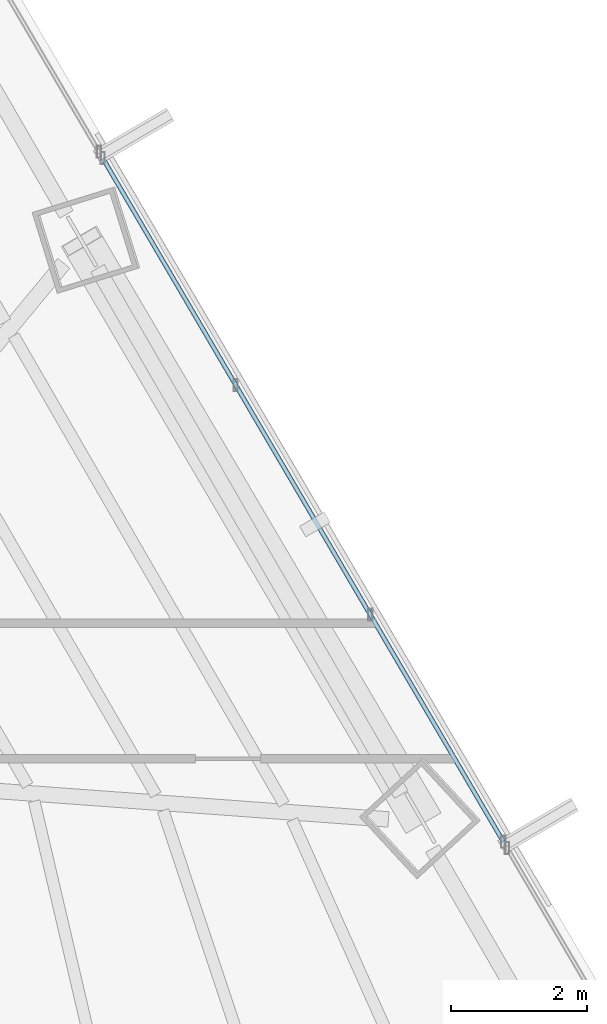
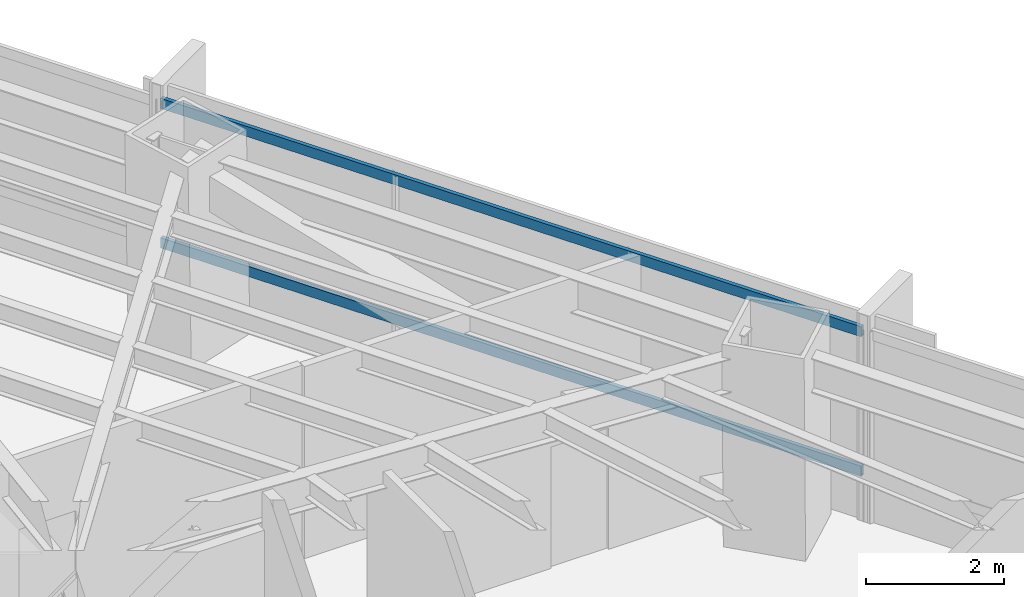
# One storey, part 20 of 33: 2 members, 1 element without a shape of its own.
"""IFC4 building model written with IfcOpenShell, lengths in metres."""

from ifc_helpers import new_model, si_unit, direction, frame, origin, origin_2d, place, context, subcontext, project, spatial, hollow_rectangle, extrude, source, transform, mapped, material, material_profile, profile_set, type_object, type_shapes, element, aggregate, save


model = new_model("IFC4")

# Units and contexts
model_context = context("Model", 3, precision=1e-05, world=origin(), true_north=direction((0.0, 1.0)))
body_context = subcontext(model_context, "Body", "Model", "MODEL_VIEW")
ifc_project = project(units=[si_unit("LENGTHUNIT", "METRE"), si_unit("AREAUNIT", "SQUARE_METRE"), si_unit("VOLUMEUNIT", "CUBIC_METRE"), si_unit("PLANEANGLEUNIT", "RADIAN"), si_unit("MASSUNIT", "GRAM", prefix="KILO")], contexts=[model_context])

# Site, building, storey
site_placement = place(None, origin())
site = spatial("IfcSite", under=ifc_project, at=site_placement, CompositionType="ELEMENT")
building_placement = place(site_placement, origin())
building = spatial("IfcBuilding", under=site, at=building_placement, Name="Caelisora Broadcast Tower", CompositionType="ELEMENT")
storey_placement = place(building_placement, frame((0.0, 0.0, 38.550048828125)))
storey = spatial("IfcBuildingStorey", under=building, at=storey_placement, Name="L09", CompositionType="ELEMENT", Elevation=38.550048828125)

# Curtain wall, members
ifc_material_1 = material(Name="Unitised Aluminium Insulated Shadow-Box Spandrel Curtain Wall", Category="aluminium")
curtain_wall_type = type_object("IfcCurtainWallType", Name="CW-SP1", PredefinedType="NOTDEFINED", material=ifc_material_1)
curtain_wall_placement = place(storey_placement, origin())
curtain_wall = element("IfcCurtainWall", 1, at=curtain_wall_placement, inside=storey, type_object=curtain_wall_type, Name="L09 curtain wall CW-SP1", PredefinedType="NOTDEFINED")
ifc_material_2 = material(Name="Aluminium 6063-T6 Anodised Terracotta Bronze", Category="aluminium")
ifc_material_profile = material_profile(ifc_material_2, hollow_rectangle(XDim=0.06494140625, YDim=0.179931640625, WallThickness=0.00341796875, at=origin_2d()), Name="Aluminium 6063-T6 Anodised Terracotta Bronze")
ifc_profile_set = profile_set([ifc_material_profile], Name="Aluminium 6063-T6 Anodised Terracotta Bronze")
member_type = type_object("IfcMemberType", Name="CWT-01", PredefinedType="USERDEFINED", material=ifc_profile_set)
shared_shape = source(origin(), body_context, "Body", "SweptSolid", [
    extrude(hollow_rectangle(XDim=0.06494140625, YDim=0.179931640625, WallThickness=0.00341796875, at=origin_2d()), origin(), (0.0, 0.0, 1.0), 11.693115234375),
])
type_shapes(member_type, [shared_shape])
member_1_placement = place(storey_placement, frame((52.213623046875, 38.96337890625, 0.849853515625), z_axis=(0.505671809514, -0.86272592465, 0.0), x_axis=(0.86272592465, 0.505671809514, 0.0)))
member_1 = element("IfcMember", 2, at=member_1_placement, type_object=member_type, Name="L09-CW-B02 transom #1", ObjectType="TRANSOM", PredefinedType="USERDEFINED", context=body_context, shape_type="MappedRepresentation", body=[
    mapped(shared_shape, transform((0.0, 0.0, 0.0), scale=1.0)),
])
member_2_placement = place(storey_placement, frame((52.213623046875, 38.96337890625, 3.320068359375), z_axis=(0.505671809514, -0.86272592465, 0.0), x_axis=(0.86272592465, 0.505671809514, 0.0)))
member_2 = element("IfcMember", 3, at=member_2_placement, type_object=member_type, Name="L09-CW-B02 transom #2", ObjectType="TRANSOM", PredefinedType="USERDEFINED", context=body_context, shape_type="MappedRepresentation", body=[
    mapped(shared_shape, transform((0.0, 0.0, 0.0), scale=1.0)),
])
aggregate(curtain_wall, [member_1, member_2])

save(model, "model.ifc")
